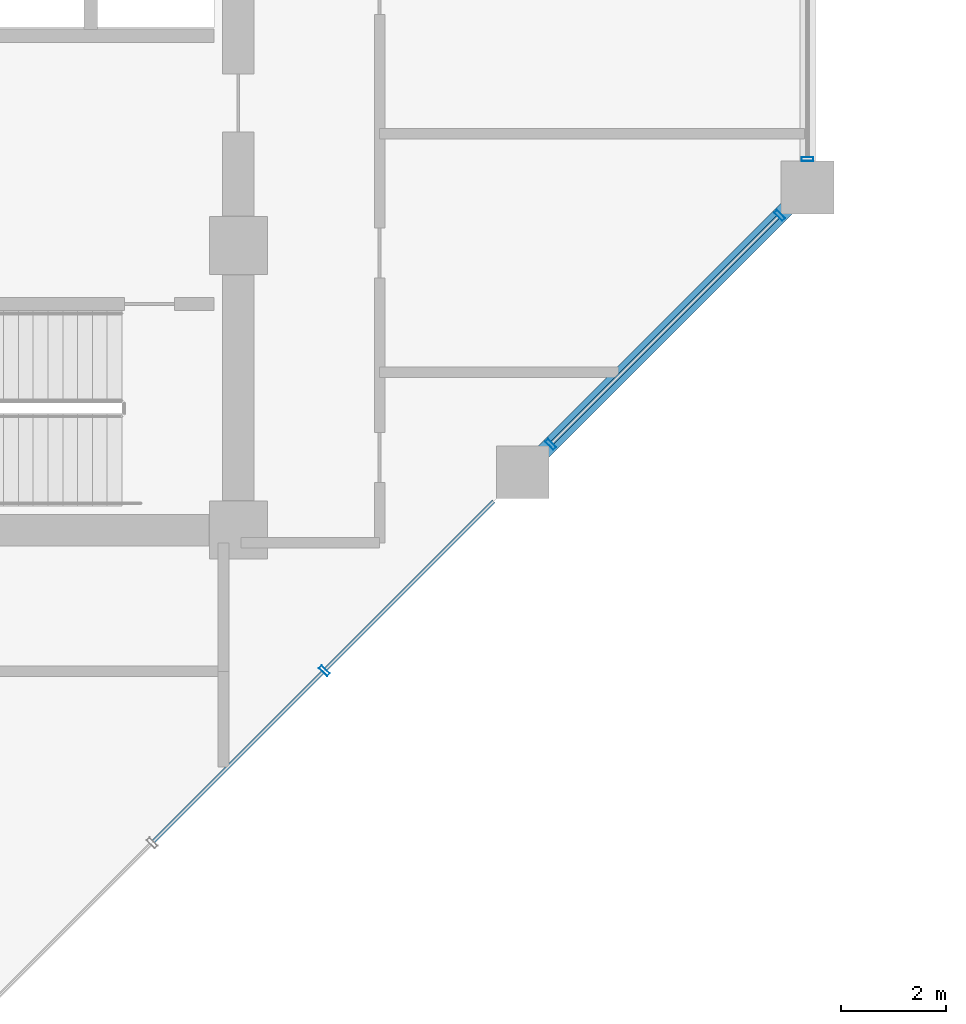
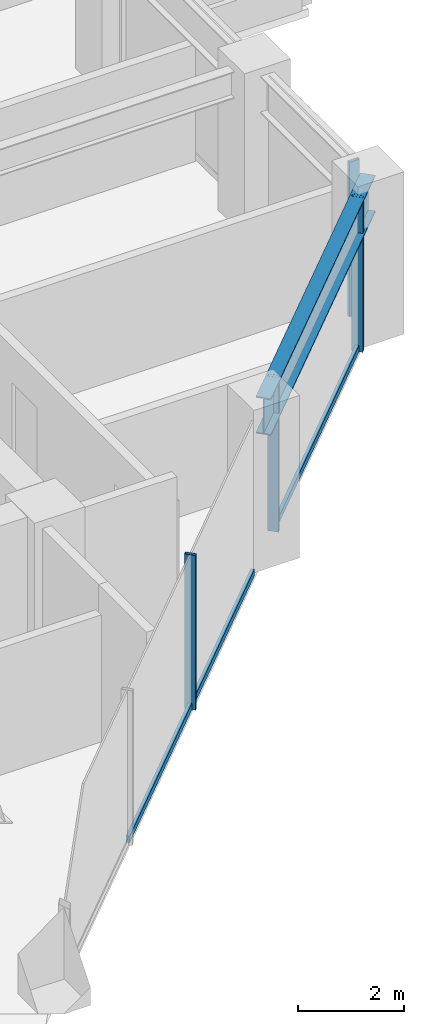
# One storey, part 8 of 29: 7 members, 1 beam, 2 elements without a shape of their own.
"""IFC4 building model written with IfcOpenShell, lengths in metres."""

from ifc_helpers import new_model, si_unit, direction, frame, origin, origin_2d, place, context, subcontext, project, spatial, hollow_rectangle, i_section, extrude, material, layer, layer_set, material_profile, profile_set, type_object, element, aggregate, save


model = new_model("IFC4")

# Units and contexts
model_context = context("Model", 3, precision=1e-05, world=origin(), true_north=direction((0.0, 1.0)))
body_context = subcontext(model_context, "Body", "Model", "MODEL_VIEW")
ifc_project = project(units=[si_unit("LENGTHUNIT", "METRE"), si_unit("AREAUNIT", "SQUARE_METRE"), si_unit("VOLUMEUNIT", "CUBIC_METRE"), si_unit("PLANEANGLEUNIT", "RADIAN"), si_unit("MASSUNIT", "GRAM", prefix="KILO")], contexts=[model_context])

# Site, building, storey
site_placement = place(None, origin())
site = spatial("IfcSite", under=ifc_project, at=site_placement, CompositionType="ELEMENT")
building_placement = place(site_placement, origin())
building = spatial("IfcBuilding", under=site, at=building_placement, Name="Surkhivell Harbour Commons", CompositionType="ELEMENT")
storey_placement = place(building_placement, frame((0.0, 0.0, 154.5)))
storey = spatial("IfcBuildingStorey", under=building, at=storey_placement, Name="L40", CompositionType="ELEMENT", Elevation=154.5)

# Beam
ifc_material_1 = material(Name="Steel S460", Category="steel")
ifc_material_profile_1 = material_profile(ifc_material_1, i_section(OverallWidth=0.2939453125, OverallDepth=0.85107421875, WebThickness=0.01611328125, FlangeThickness=0.02685546875, at=origin_2d()), Name="UB838x292x226")
ifc_profile_set_1 = profile_set([ifc_material_profile_1], Name="Steel S460")
beam_type = type_object("IfcBeamType", Name="BM-SPN-838", PredefinedType="SPANDREL", material=ifc_profile_set_1)
beam_placement = place(storey_placement, frame((16.199951171875, -9.699951171875, 3.14453125), z_axis=(0.707122765516, 0.707090796496, 0.0), x_axis=(-0.707090796496, 0.707122765516, 0.0)))
element("IfcBeam", 1, at=beam_placement, inside=storey, type_object=beam_type, Name="L40 Tube Spandrel (16.2,-9.7)", PredefinedType="SPANDREL", context=body_context, shape_type="SweptSolid", body=[
    extrude(i_section(OverallWidth=0.2939453125, OverallDepth=0.85107421875, WebThickness=0.01611328125, FlangeThickness=0.02685546875, at=origin_2d()), origin(), (0.0, 0.0, 1.0), 7.63671875),
])

# Curtain wall, members
ifc_material_2 = material(Name="Anodised pale-metal aluminium and insulated glazing", Category="aluminium")
ifc_layer = layer(ifc_material_2, 0.205078125)
ifc_layer_set = layer_set([ifc_layer], Name="Anodised pale-metal aluminium and insulated glazing")
curtain_wall_type = type_object("IfcCurtainWallType", Name="CW-SYS-Z2", PredefinedType="NOTDEFINED", material=ifc_layer_set)
curtain_wall_1_placement = place(storey_placement, origin())
curtain_wall_1 = element("IfcCurtainWall", 2, at=curtain_wall_1_placement, inside=storey, type_object=curtain_wall_type, Name="L40 Curtain Wall CW-L40-E01", PredefinedType="NOTDEFINED")
ifc_material_3 = material(Name="Anodised pale-metal aluminium alloy 6063-T6", Category="aluminium")
ifc_material_profile_2 = material_profile(ifc_material_3, hollow_rectangle(XDim=0.074951171875, YDim=0.219970703125, WallThickness=0.00390625, at=origin_2d()), Name="ALU-MULL-75x220")
ifc_profile_set_2 = profile_set([ifc_material_profile_2], Name="Anodised pale-metal aluminium alloy 6063-T6")
member_type_1 = type_object("IfcMemberType", Name="CWM-220", PredefinedType="MULLION", material=ifc_profile_set_2)
member_1_placement = place(storey_placement, frame((12.432861328125, -13.46728515625, 0.0), z_axis=(0.0, 0.0, 1.0), x_axis=(0.707106781187, 0.707106781187, 0.0)))
member_1 = element("IfcMember", 3, at=member_1_placement, type_object=member_type_1, Name="CW-Z2 mullion 4", PredefinedType="MULLION", context=body_context, shape_type="SweptSolid", body=[
    extrude(hollow_rectangle(XDim=0.074951171875, YDim=0.219970703125, WallThickness=0.00390625, at=origin_2d()), origin(), (0.0, 0.0, 1.0), 3.570068359375),
])
member_2_placement = place(storey_placement, frame((16.728271484375, -9.171875, 0.0), z_axis=(0.0, 0.0, 1.0), x_axis=(0.707106781187, 0.707106781187, 0.0)))
member_2 = element("IfcMember", 4, at=member_2_placement, type_object=member_type_1, Name="CW-Z2 mullion 5", PredefinedType="MULLION", context=body_context, shape_type="SweptSolid", body=[
    extrude(hollow_rectangle(XDim=0.074951171875, YDim=0.219970703125, WallThickness=0.00390625, at=origin_2d()), origin(), (0.0, 0.0, 1.0), 3.570068359375),
])
member_3_placement = place(storey_placement, frame((21.07177734375, -4.828125, 0.0), z_axis=(0.0, 0.0, 1.0), x_axis=(0.707106781187, 0.707106781187, 0.0)))
member_3 = element("IfcMember", 5, at=member_3_placement, type_object=member_type_1, Name="CW-Z2 mullion 6", PredefinedType="MULLION", context=body_context, shape_type="SweptSolid", body=[
    extrude(hollow_rectangle(XDim=0.074951171875, YDim=0.219970703125, WallThickness=0.00390625, at=origin_2d()), origin(), (0.0, 0.0, 1.0), 3.570068359375),
])

# Curtain wall, member
curtain_wall_2_placement = place(storey_placement, origin())
curtain_wall_2 = element("IfcCurtainWall", 6, at=curtain_wall_2_placement, inside=storey, type_object=curtain_wall_type, Name="L40 Curtain Wall CW-L40-E02R1", PredefinedType="NOTDEFINED")
member_4_placement = place(storey_placement, frame((21.60009765625, -3.760498046875, 0.0), z_axis=(0.0, 0.0, 1.0), x_axis=(0.0, 1.0, 0.0)))
member_4 = element("IfcMember", 7, at=member_4_placement, type_object=member_type_1, Name="CW-Z2 mullion 1", PredefinedType="MULLION", context=body_context, shape_type="SweptSolid", body=[
    extrude(hollow_rectangle(XDim=0.074951171875, YDim=0.219970703125, WallThickness=0.00390625, at=origin_2d()), origin(), (0.0, 0.0, 1.0), 3.570068359375),
])
aggregate(curtain_wall_2, [member_4])

# Member
ifc_material_profile_3 = material_profile(ifc_material_3, hollow_rectangle(XDim=0.074951171875, YDim=0.14990234375, WallThickness=0.00341796875, at=origin_2d()), Name="ALU-TRAN-75x150")
ifc_profile_set_3 = profile_set([ifc_material_profile_3], Name="Anodised pale-metal aluminium alloy 6063-T6")
member_type_2 = type_object("IfcMemberType", Name="CWT-150", PredefinedType="USERDEFINED", material=ifc_profile_set_3)
member_5_placement = place(storey_placement, frame((9.19384765625, -16.706298828125, 0.074951171875), z_axis=(0.707079911854, 0.707133649498, 0.0), x_axis=(-0.707133649498, 0.707079911854, 0.0)))
member_5 = element("IfcMember", 8, at=member_5_placement, type_object=member_type_2, Name="CW-Z2 transom 3.1", ObjectType="TRANSOM", PredefinedType="USERDEFINED", context=body_context, shape_type="SweptSolid", body=[
    extrude(hollow_rectangle(XDim=0.074951171875, YDim=0.14990234375, WallThickness=0.00341796875, at=origin_2d()), origin(), (0.0, 0.0, 1.0), 4.543212890625),
])

member_6_placement = place(storey_placement, frame((12.459228515625, -13.440673828125, 0.074951171875), z_axis=(0.707106781187, 0.707106781187, 0.0), x_axis=(-0.707106781187, 0.707106781187, 0.0)))
member_6 = element("IfcMember", 9, at=member_6_placement, type_object=member_type_2, Name="CW-Z2 transom 4.1", ObjectType="TRANSOM", PredefinedType="USERDEFINED", context=body_context, shape_type="SweptSolid", body=[
    extrude(hollow_rectangle(XDim=0.074951171875, YDim=0.14990234375, WallThickness=0.00341796875, at=origin_2d()), origin(), (0.0, 0.0, 1.0), 4.505615234375),
])

member_7_placement = place(storey_placement, frame((16.754638671875, -9.145263671875, 0.074951171875), z_axis=(0.707106781187, 0.707106781187, 0.0), x_axis=(-0.707106781187, 0.707106781187, 0.0)))
member_7 = element("IfcMember", 10, at=member_7_placement, type_object=member_type_2, Name="CW-Z2 transom 5.1", ObjectType="TRANSOM", PredefinedType="USERDEFINED", context=body_context, shape_type="SweptSolid", body=[
    extrude(hollow_rectangle(XDim=0.074951171875, YDim=0.14990234375, WallThickness=0.00341796875, at=origin_2d()), origin(), (0.0, 0.0, 1.0), 6.067626953125),
])

aggregate(curtain_wall_1, [member_1, member_5, member_6, member_2, member_3, member_7])

save(model, "model.ifc")
